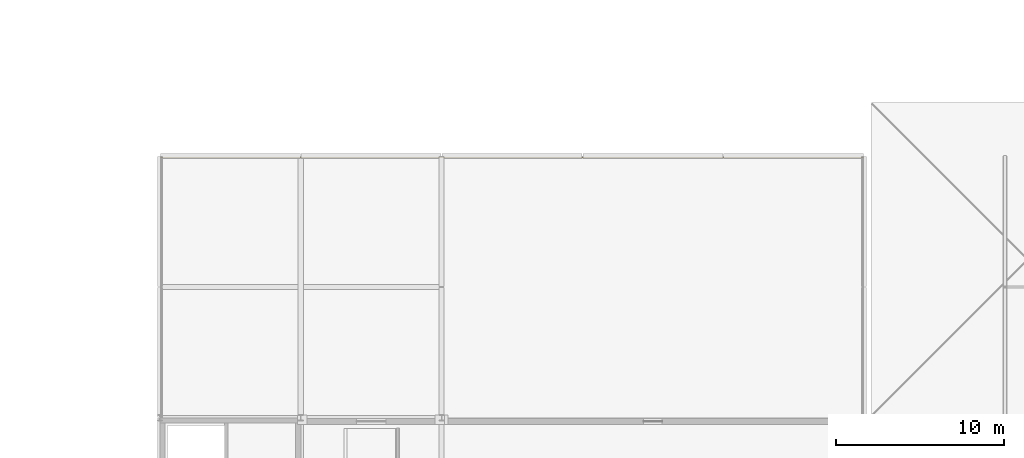
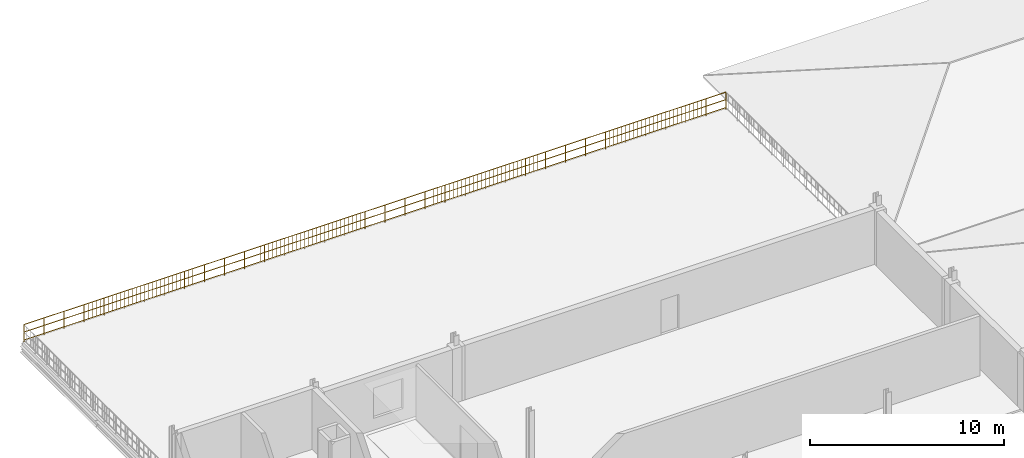
# One storey, part 72 of 77: 1 railing.
"""IFC4 building model written with IfcOpenShell, lengths in metres."""

from ifc_helpers import new_model, si_unit, direction, frame, origin, origin_2d, place, context, subcontext, project, spatial, circle, extrude, material, layer, layer_set, type_object, element, save


model = new_model("IFC4")

# Units and contexts
model_context = context("Model", 3, precision=1e-05, world=origin(), true_north=direction((0.0, 1.0)))
body_context = subcontext(model_context, "Body", "Model", "MODEL_VIEW")
ifc_project = project(units=[si_unit("LENGTHUNIT", "METRE"), si_unit("AREAUNIT", "SQUARE_METRE"), si_unit("VOLUMEUNIT", "CUBIC_METRE"), si_unit("PLANEANGLEUNIT", "RADIAN"), si_unit("MASSUNIT", "GRAM", prefix="KILO")], contexts=[model_context])

# Site, building, storey
site_placement = place(None, origin())
site = spatial("IfcSite", under=ifc_project, at=site_placement, CompositionType="ELEMENT")
building_placement = place(site_placement, origin())
building = spatial("IfcBuilding", under=site, at=building_placement, Name="Nabrawat Pavilion Hospital", CompositionType="ELEMENT")
storey_placement = place(building_placement, frame((0.0, 0.0, 14.85009765625)))
storey = spatial("IfcBuildingStorey", under=building, at=storey_placement, Name="L03", CompositionType="ELEMENT", Elevation=14.85009765625)

# Railing
ifc_material = material(Name="Stainless Steel 316", Category="steel")
ifc_layer = layer(ifc_material, 0.070068359375, Name="Stainless Steel 316")
ifc_layer_set = layer_set([ifc_layer], Name="Stainless Steel 316")
railing_type = type_object("IfcRailingType", Name="Exterior Clinical Terrace Safety Guardrail 1100", PredefinedType="GUARDRAIL", material=ifc_layer_set)
railing_placement = place(storey_placement, frame((16.860107421875, 116.93994140625, 0.0)))
element("IfcRailing", 1, at=railing_placement, inside=storey, type_object=railing_type, Name="L03 Terrace Edge Safety Guardrail T_L03_V3_NORTH North", PredefinedType="GUARDRAIL", context=body_context, shape_type="SweptSolid", body=[
    extrude(circle(Radius=0.02392578125, at=origin_2d()), frame((0.0, 0.0, 1.076171875), z_axis=(1.0, 0.0, 0.0), x_axis=(0.0, 1.0, 0.0)), (0.0, 0.0, 1.0), 41.8798828125),
    extrude(circle(Radius=0.02392578125, at=origin_2d()), frame((0.0, 0.0, 0.10009765625), z_axis=(1.0, 0.0, 0.0), x_axis=(0.0, 1.0, 0.0)), (0.0, 0.0, 1.0), 41.8798828125),
    extrude(circle(Radius=0.02392578125, at=origin_2d()), frame((0.0, 0.0, 0.60498046875), z_axis=(1.0, 0.0, 0.0), x_axis=(0.0, 1.0, 0.0)), (0.0, 0.0, 1.0), 41.8798828125),
    extrude(circle(Radius=0.008056640625, at=origin_2d()), frame((0.2392578125, 0.0, 0.10009765625)), (0.0, 0.0, 1.0), 0.951904296875),
    extrude(circle(Radius=0.008056640625, at=origin_2d()), frame((0.478515625, 0.0, 0.10009765625)), (0.0, 0.0, 1.0), 0.951904296875),
    extrude(circle(Radius=0.008056640625, at=origin_2d()), frame((0.718017578125, 0.0, 0.10009765625)), (0.0, 0.0, 1.0), 0.951904296875),
    extrude(circle(Radius=0.008056640625, at=origin_2d()), frame((0.957275390625, 0.0, 0.10009765625)), (0.0, 0.0, 1.0), 0.951904296875),
    extrude(circle(Radius=0.008056640625, at=origin_2d()), frame((1.435791015625, 0.0, 0.10009765625)), (0.0, 0.0, 1.0), 0.951904296875),
    extrude(circle(Radius=0.008056640625, at=origin_2d()), frame((1.67529296875, 0.0, 0.10009765625)), (0.0, 0.0, 1.0), 0.951904296875),
    extrude(circle(Radius=0.008056640625, at=origin_2d()), frame((1.91455078125, 0.0, 0.10009765625)), (0.0, 0.0, 1.0), 0.951904296875),
    extrude(circle(Radius=0.008056640625, at=origin_2d()), frame((2.15380859375, 0.0, 0.10009765625)), (0.0, 0.0, 1.0), 0.951904296875),
    extrude(circle(Radius=0.008056640625, at=origin_2d()), frame((2.632568359375, 0.0, 0.10009765625)), (0.0, 0.0, 1.0), 0.951904296875),
    extrude(circle(Radius=0.008056640625, at=origin_2d()), frame((2.871826171875, 0.0, 0.10009765625)), (0.0, 0.0, 1.0), 0.951904296875),
    extrude(circle(Radius=0.008056640625, at=origin_2d()), frame((3.111083984375, 0.0, 0.10009765625)), (0.0, 0.0, 1.0), 0.951904296875),
    extrude(circle(Radius=0.008056640625, at=origin_2d()), frame((3.350341796875, 0.0, 0.10009765625)), (0.0, 0.0, 1.0), 0.951904296875),
    extrude(circle(Radius=0.008056640625, at=origin_2d()), frame((3.8291015625, 0.0, 0.10009765625)), (0.0, 0.0, 1.0), 0.951904296875),
    extrude(circle(Radius=0.008056640625, at=origin_2d()), frame((4.068359375, 0.0, 0.10009765625)), (0.0, 0.0, 1.0), 0.951904296875),
    extrude(circle(Radius=0.008056640625, at=origin_2d()), frame((4.3076171875, 0.0, 0.10009765625)), (0.0, 0.0, 1.0), 0.951904296875),
    extrude(circle(Radius=0.008056640625, at=origin_2d()), frame((4.546875, 0.0, 0.10009765625)), (0.0, 0.0, 1.0), 0.951904296875),
    extrude(circle(Radius=0.008056640625, at=origin_2d()), frame((5.025634765625, 0.0, 0.10009765625)), (0.0, 0.0, 1.0), 0.951904296875),
    extrude(circle(Radius=0.008056640625, at=origin_2d()), frame((5.264892578125, 0.0, 0.10009765625)), (0.0, 0.0, 1.0), 0.951904296875),
    extrude(circle(Radius=0.008056640625, at=origin_2d()), frame((5.504150390625, 0.0, 0.10009765625)), (0.0, 0.0, 1.0), 0.951904296875),
    extrude(circle(Radius=0.008056640625, at=origin_2d()), frame((5.743408203125, 0.0, 0.10009765625)), (0.0, 0.0, 1.0), 0.951904296875),
    extrude(circle(Radius=0.008056640625, at=origin_2d()), frame((6.22216796875, 0.0, 0.10009765625)), (0.0, 0.0, 1.0), 0.951904296875),
    extrude(circle(Radius=0.008056640625, at=origin_2d()), frame((6.46142578125, 0.0, 0.10009765625)), (0.0, 0.0, 1.0), 0.951904296875),
    extrude(circle(Radius=0.008056640625, at=origin_2d()), frame((6.70068359375, 0.0, 0.10009765625)), (0.0, 0.0, 1.0), 0.951904296875),
    extrude(circle(Radius=0.008056640625, at=origin_2d()), frame((6.940185546875, 0.0, 0.10009765625)), (0.0, 0.0, 1.0), 0.951904296875),
    extrude(circle(Radius=0.008056640625, at=origin_2d()), frame((7.418701171875, 0.0, 0.10009765625)), (0.0, 0.0, 1.0), 0.951904296875),
    extrude(circle(Radius=0.008056640625, at=origin_2d()), frame((7.657958984375, 0.0, 0.10009765625)), (0.0, 0.0, 1.0), 0.951904296875),
    extrude(circle(Radius=0.008056640625, at=origin_2d()), frame((7.8974609375, 0.0, 0.10009765625)), (0.0, 0.0, 1.0), 0.951904296875),
    extrude(circle(Radius=0.008056640625, at=origin_2d()), frame((8.13671875, 0.0, 0.10009765625)), (0.0, 0.0, 1.0), 0.951904296875),
    extrude(circle(Radius=0.008056640625, at=origin_2d()), frame((8.615234375, 0.0, 0.10009765625)), (0.0, 0.0, 1.0), 0.951904296875),
    extrude(circle(Radius=0.008056640625, at=origin_2d()), frame((8.8544921875, 0.0, 0.10009765625)), (0.0, 0.0, 1.0), 0.951904296875),
    extrude(circle(Radius=0.008056640625, at=origin_2d()), frame((9.093994140625, 0.0, 0.10009765625)), (0.0, 0.0, 1.0), 0.951904296875),
    extrude(circle(Radius=0.008056640625, at=origin_2d()), frame((9.333251953125, 0.0, 0.10009765625)), (0.0, 0.0, 1.0), 0.951904296875),
    extrude(circle(Radius=0.008056640625, at=origin_2d()), frame((9.811767578125, 0.0, 0.10009765625)), (0.0, 0.0, 1.0), 0.951904296875),
    extrude(circle(Radius=0.008056640625, at=origin_2d()), frame((10.05126953125, 0.0, 0.10009765625)), (0.0, 0.0, 1.0), 0.951904296875),
    extrude(circle(Radius=0.008056640625, at=origin_2d()), frame((10.29052734375, 0.0, 0.10009765625)), (0.0, 0.0, 1.0), 0.951904296875),
    extrude(circle(Radius=0.008056640625, at=origin_2d()), frame((10.52978515625, 0.0, 0.10009765625)), (0.0, 0.0, 1.0), 0.951904296875),
    extrude(circle(Radius=0.008056640625, at=origin_2d()), frame((11.008544921875, 0.0, 0.10009765625)), (0.0, 0.0, 1.0), 0.951904296875),
    extrude(circle(Radius=0.008056640625, at=origin_2d()), frame((11.247802734375, 0.0, 0.10009765625)), (0.0, 0.0, 1.0), 0.951904296875),
    extrude(circle(Radius=0.008056640625, at=origin_2d()), frame((11.487060546875, 0.0, 0.10009765625)), (0.0, 0.0, 1.0), 0.951904296875),
    extrude(circle(Radius=0.008056640625, at=origin_2d()), frame((11.726318359375, 0.0, 0.10009765625)), (0.0, 0.0, 1.0), 0.951904296875),
    extrude(circle(Radius=0.008056640625, at=origin_2d()), frame((12.205078125, 0.0, 0.10009765625)), (0.0, 0.0, 1.0), 0.951904296875),
    extrude(circle(Radius=0.008056640625, at=origin_2d()), frame((12.4443359375, 0.0, 0.10009765625)), (0.0, 0.0, 1.0), 0.951904296875),
    extrude(circle(Radius=0.008056640625, at=origin_2d()), frame((12.68359375, 0.0, 0.10009765625)), (0.0, 0.0, 1.0), 0.951904296875),
    extrude(circle(Radius=0.008056640625, at=origin_2d()), frame((12.9228515625, 0.0, 0.10009765625)), (0.0, 0.0, 1.0), 0.951904296875),
    extrude(circle(Radius=0.008056640625, at=origin_2d()), frame((13.401611328125, 0.0, 0.10009765625)), (0.0, 0.0, 1.0), 0.951904296875),
    extrude(circle(Radius=0.008056640625, at=origin_2d()), frame((13.640869140625, 0.0, 0.10009765625)), (0.0, 0.0, 1.0), 0.951904296875),
    extrude(circle(Radius=0.008056640625, at=origin_2d()), frame((13.880126953125, 0.0, 0.10009765625)), (0.0, 0.0, 1.0), 0.951904296875),
    extrude(circle(Radius=0.008056640625, at=origin_2d()), frame((14.119384765625, 0.0, 0.10009765625)), (0.0, 0.0, 1.0), 0.951904296875),
    extrude(circle(Radius=0.008056640625, at=origin_2d()), frame((14.59814453125, 0.0, 0.10009765625)), (0.0, 0.0, 1.0), 0.951904296875),
    extrude(circle(Radius=0.008056640625, at=origin_2d()), frame((14.83740234375, 0.0, 0.10009765625)), (0.0, 0.0, 1.0), 0.951904296875),
    extrude(circle(Radius=0.008056640625, at=origin_2d()), frame((15.07666015625, 0.0, 0.10009765625)), (0.0, 0.0, 1.0), 0.951904296875),
    extrude(circle(Radius=0.008056640625, at=origin_2d()), frame((15.316162109375, 0.0, 0.10009765625)), (0.0, 0.0, 1.0), 0.951904296875),
    extrude(circle(Radius=0.008056640625, at=origin_2d()), frame((15.794677734375, 0.0, 0.10009765625)), (0.0, 0.0, 1.0), 0.951904296875),
    extrude(circle(Radius=0.008056640625, at=origin_2d()), frame((16.033935546875, 0.0, 0.10009765625)), (0.0, 0.0, 1.0), 0.951904296875),
    extrude(circle(Radius=0.008056640625, at=origin_2d()), frame((16.2734375, 0.0, 0.10009765625)), (0.0, 0.0, 1.0), 0.951904296875),
    extrude(circle(Radius=0.008056640625, at=origin_2d()), frame((16.5126953125, 0.0, 0.10009765625)), (0.0, 0.0, 1.0), 0.951904296875),
    extrude(circle(Radius=0.008056640625, at=origin_2d()), frame((16.9912109375, 0.0, 0.10009765625)), (0.0, 0.0, 1.0), 0.951904296875),
    extrude(circle(Radius=0.008056640625, at=origin_2d()), frame((17.23046875, 0.0, 0.10009765625)), (0.0, 0.0, 1.0), 0.951904296875),
    extrude(circle(Radius=0.008056640625, at=origin_2d()), frame((17.469970703125, 0.0, 0.10009765625)), (0.0, 0.0, 1.0), 0.951904296875),
    extrude(circle(Radius=0.008056640625, at=origin_2d()), frame((17.709228515625, 0.0, 0.10009765625)), (0.0, 0.0, 1.0), 0.951904296875),
    extrude(circle(Radius=0.008056640625, at=origin_2d()), frame((18.187744140625, 0.0, 0.10009765625)), (0.0, 0.0, 1.0), 0.951904296875),
    extrude(circle(Radius=0.008056640625, at=origin_2d()), frame((18.42724609375, 0.0, 0.10009765625)), (0.0, 0.0, 1.0), 0.951904296875),
    extrude(circle(Radius=0.008056640625, at=origin_2d()), frame((18.66650390625, 0.0, 0.10009765625)), (0.0, 0.0, 1.0), 0.951904296875),
    extrude(circle(Radius=0.008056640625, at=origin_2d()), frame((18.90576171875, 0.0, 0.10009765625)), (0.0, 0.0, 1.0), 0.951904296875),
    extrude(circle(Radius=0.008056640625, at=origin_2d()), frame((19.384521484375, 0.0, 0.10009765625)), (0.0, 0.0, 1.0), 0.951904296875),
    extrude(circle(Radius=0.008056640625, at=origin_2d()), frame((19.623779296875, 0.0, 0.10009765625)), (0.0, 0.0, 1.0), 0.951904296875),
    extrude(circle(Radius=0.008056640625, at=origin_2d()), frame((19.863037109375, 0.0, 0.10009765625)), (0.0, 0.0, 1.0), 0.951904296875),
    extrude(circle(Radius=0.008056640625, at=origin_2d()), frame((20.102294921875, 0.0, 0.10009765625)), (0.0, 0.0, 1.0), 0.951904296875),
    extrude(circle(Radius=0.008056640625, at=origin_2d()), frame((20.5810546875, 0.0, 0.10009765625)), (0.0, 0.0, 1.0), 0.951904296875),
    extrude(circle(Radius=0.008056640625, at=origin_2d()), frame((20.8203125, 0.0, 0.10009765625)), (0.0, 0.0, 1.0), 0.951904296875),
    extrude(circle(Radius=0.008056640625, at=origin_2d()), frame((21.0595703125, 0.0, 0.10009765625)), (0.0, 0.0, 1.0), 0.951904296875),
    extrude(circle(Radius=0.008056640625, at=origin_2d()), frame((21.298828125, 0.0, 0.10009765625)), (0.0, 0.0, 1.0), 0.951904296875),
    extrude(circle(Radius=0.008056640625, at=origin_2d()), frame((21.777587890625, 0.0, 0.10009765625)), (0.0, 0.0, 1.0), 0.951904296875),
    extrude(circle(Radius=0.008056640625, at=origin_2d()), frame((22.016845703125, 0.0, 0.10009765625)), (0.0, 0.0, 1.0), 0.951904296875),
    extrude(circle(Radius=0.008056640625, at=origin_2d()), frame((22.256103515625, 0.0, 0.10009765625)), (0.0, 0.0, 1.0), 0.951904296875),
    extrude(circle(Radius=0.008056640625, at=origin_2d()), frame((22.495361328125, 0.0, 0.10009765625)), (0.0, 0.0, 1.0), 0.951904296875),
    extrude(circle(Radius=0.008056640625, at=origin_2d()), frame((22.97412109375, 0.0, 0.10009765625)), (0.0, 0.0, 1.0), 0.951904296875),
    extrude(circle(Radius=0.008056640625, at=origin_2d()), frame((23.21337890625, 0.0, 0.10009765625)), (0.0, 0.0, 1.0), 0.951904296875),
    extrude(circle(Radius=0.008056640625, at=origin_2d()), frame((23.45263671875, 0.0, 0.10009765625)), (0.0, 0.0, 1.0), 0.951904296875),
    extrude(circle(Radius=0.008056640625, at=origin_2d()), frame((23.692138671875, 0.0, 0.10009765625)), (0.0, 0.0, 1.0), 0.951904296875),
    extrude(circle(Radius=0.008056640625, at=origin_2d()), frame((24.170654296875, 0.0, 0.10009765625)), (0.0, 0.0, 1.0), 0.951904296875),
    extrude(circle(Radius=0.008056640625, at=origin_2d()), frame((24.409912109375, 0.0, 0.10009765625)), (0.0, 0.0, 1.0), 0.951904296875),
    extrude(circle(Radius=0.008056640625, at=origin_2d()), frame((24.6494140625, 0.0, 0.10009765625)), (0.0, 0.0, 1.0), 0.951904296875),
    extrude(circle(Radius=0.008056640625, at=origin_2d()), frame((24.888671875, 0.0, 0.10009765625)), (0.0, 0.0, 1.0), 0.951904296875),
    extrude(circle(Radius=0.008056640625, at=origin_2d()), frame((25.3671875, 0.0, 0.10009765625)), (0.0, 0.0, 1.0), 0.951904296875),
    extrude(circle(Radius=0.008056640625, at=origin_2d()), frame((25.6064453125, 0.0, 0.10009765625)), (0.0, 0.0, 1.0), 0.951904296875),
    extrude(circle(Radius=0.008056640625, at=origin_2d()), frame((25.845947265625, 0.0, 0.10009765625)), (0.0, 0.0, 1.0), 0.951904296875),
    extrude(circle(Radius=0.008056640625, at=origin_2d()), frame((26.085205078125, 0.0, 0.10009765625)), (0.0, 0.0, 1.0), 0.951904296875),
    extrude(circle(Radius=0.008056640625, at=origin_2d()), frame((26.563720703125, 0.0, 0.10009765625)), (0.0, 0.0, 1.0), 0.951904296875),
    extrude(circle(Radius=0.008056640625, at=origin_2d()), frame((26.80322265625, 0.0, 0.10009765625)), (0.0, 0.0, 1.0), 0.951904296875),
    extrude(circle(Radius=0.008056640625, at=origin_2d()), frame((27.04248046875, 0.0, 0.10009765625)), (0.0, 0.0, 1.0), 0.951904296875),
    extrude(circle(Radius=0.008056640625, at=origin_2d()), frame((27.28173828125, 0.0, 0.10009765625)), (0.0, 0.0, 1.0), 0.951904296875),
    extrude(circle(Radius=0.008056640625, at=origin_2d()), frame((27.760498046875, 0.0, 0.10009765625)), (0.0, 0.0, 1.0), 0.951904296875),
    extrude(circle(Radius=0.008056640625, at=origin_2d()), frame((27.999755859375, 0.0, 0.10009765625)), (0.0, 0.0, 1.0), 0.951904296875),
    extrude(circle(Radius=0.008056640625, at=origin_2d()), frame((28.239013671875, 0.0, 0.10009765625)), (0.0, 0.0, 1.0), 0.951904296875),
    extrude(circle(Radius=0.008056640625, at=origin_2d()), frame((28.478271484375, 0.0, 0.10009765625)), (0.0, 0.0, 1.0), 0.951904296875),
    extrude(circle(Radius=0.008056640625, at=origin_2d()), frame((28.95703125, 0.0, 0.10009765625)), (0.0, 0.0, 1.0), 0.951904296875),
    extrude(circle(Radius=0.008056640625, at=origin_2d()), frame((29.1962890625, 0.0, 0.10009765625)), (0.0, 0.0, 1.0), 0.951904296875),
    extrude(circle(Radius=0.008056640625, at=origin_2d()), frame((29.435546875, 0.0, 0.10009765625)), (0.0, 0.0, 1.0), 0.951904296875),
    extrude(circle(Radius=0.008056640625, at=origin_2d()), frame((29.6748046875, 0.0, 0.10009765625)), (0.0, 0.0, 1.0), 0.951904296875),
    extrude(circle(Radius=0.008056640625, at=origin_2d()), frame((30.153564453125, 0.0, 0.10009765625)), (0.0, 0.0, 1.0), 0.951904296875),
    extrude(circle(Radius=0.008056640625, at=origin_2d()), frame((30.392822265625, 0.0, 0.10009765625)), (0.0, 0.0, 1.0), 0.951904296875),
    extrude(circle(Radius=0.008056640625, at=origin_2d()), frame((30.632080078125, 0.0, 0.10009765625)), (0.0, 0.0, 1.0), 0.951904296875),
    extrude(circle(Radius=0.008056640625, at=origin_2d()), frame((30.871337890625, 0.0, 0.10009765625)), (0.0, 0.0, 1.0), 0.951904296875),
    extrude(circle(Radius=0.008056640625, at=origin_2d()), frame((31.35009765625, 0.0, 0.10009765625)), (0.0, 0.0, 1.0), 0.951904296875),
    extrude(circle(Radius=0.008056640625, at=origin_2d()), frame((31.58935546875, 0.0, 0.10009765625)), (0.0, 0.0, 1.0), 0.951904296875),
    extrude(circle(Radius=0.008056640625, at=origin_2d()), frame((31.82861328125, 0.0, 0.10009765625)), (0.0, 0.0, 1.0), 0.951904296875),
    extrude(circle(Radius=0.008056640625, at=origin_2d()), frame((32.068115234375, 0.0, 0.10009765625)), (0.0, 0.0, 1.0), 0.951904296875),
    extrude(circle(Radius=0.008056640625, at=origin_2d()), frame((32.546630859375, 0.0, 0.10009765625)), (0.0, 0.0, 1.0), 0.951904296875),
    extrude(circle(Radius=0.008056640625, at=origin_2d()), frame((32.785888671875, 0.0, 0.10009765625)), (0.0, 0.0, 1.0), 0.951904296875),
    extrude(circle(Radius=0.008056640625, at=origin_2d()), frame((33.025390625, 0.0, 0.10009765625)), (0.0, 0.0, 1.0), 0.951904296875),
    extrude(circle(Radius=0.008056640625, at=origin_2d()), frame((33.2646484375, 0.0, 0.10009765625)), (0.0, 0.0, 1.0), 0.951904296875),
    extrude(circle(Radius=0.008056640625, at=origin_2d()), frame((33.7431640625, 0.0, 0.10009765625)), (0.0, 0.0, 1.0), 0.951904296875),
    extrude(circle(Radius=0.008056640625, at=origin_2d()), frame((33.982421875, 0.0, 0.10009765625)), (0.0, 0.0, 1.0), 0.951904296875),
    extrude(circle(Radius=0.008056640625, at=origin_2d()), frame((34.221923828125, 0.0, 0.10009765625)), (0.0, 0.0, 1.0), 0.951904296875),
    extrude(circle(Radius=0.008056640625, at=origin_2d()), frame((34.461181640625, 0.0, 0.10009765625)), (0.0, 0.0, 1.0), 0.951904296875),
    extrude(circle(Radius=0.008056640625, at=origin_2d()), frame((34.939697265625, 0.0, 0.10009765625)), (0.0, 0.0, 1.0), 0.951904296875),
    extrude(circle(Radius=0.008056640625, at=origin_2d()), frame((35.17919921875, 0.0, 0.10009765625)), (0.0, 0.0, 1.0), 0.951904296875),
    extrude(circle(Radius=0.008056640625, at=origin_2d()), frame((35.41845703125, 0.0, 0.10009765625)), (0.0, 0.0, 1.0), 0.951904296875),
    extrude(circle(Radius=0.008056640625, at=origin_2d()), frame((35.65771484375, 0.0, 0.10009765625)), (0.0, 0.0, 1.0), 0.951904296875),
    extrude(circle(Radius=0.008056640625, at=origin_2d()), frame((36.136474609375, 0.0, 0.10009765625)), (0.0, 0.0, 1.0), 0.951904296875),
    extrude(circle(Radius=0.008056640625, at=origin_2d()), frame((36.375732421875, 0.0, 0.10009765625)), (0.0, 0.0, 1.0), 0.951904296875),
    extrude(circle(Radius=0.008056640625, at=origin_2d()), frame((36.614990234375, 0.0, 0.10009765625)), (0.0, 0.0, 1.0), 0.951904296875),
    extrude(circle(Radius=0.008056640625, at=origin_2d()), frame((36.854248046875, 0.0, 0.10009765625)), (0.0, 0.0, 1.0), 0.951904296875),
    extrude(circle(Radius=0.008056640625, at=origin_2d()), frame((37.3330078125, 0.0, 0.10009765625)), (0.0, 0.0, 1.0), 0.951904296875),
    extrude(circle(Radius=0.008056640625, at=origin_2d()), frame((37.572265625, 0.0, 0.10009765625)), (0.0, 0.0, 1.0), 0.951904296875),
    extrude(circle(Radius=0.008056640625, at=origin_2d()), frame((37.8115234375, 0.0, 0.10009765625)), (0.0, 0.0, 1.0), 0.951904296875),
    extrude(circle(Radius=0.008056640625, at=origin_2d()), frame((38.05078125, 0.0, 0.10009765625)), (0.0, 0.0, 1.0), 0.951904296875),
    extrude(circle(Radius=0.008056640625, at=origin_2d()), frame((38.529541015625, 0.0, 0.10009765625)), (0.0, 0.0, 1.0), 0.951904296875),
    extrude(circle(Radius=0.008056640625, at=origin_2d()), frame((38.768798828125, 0.0, 0.10009765625)), (0.0, 0.0, 1.0), 0.951904296875),
    extrude(circle(Radius=0.008056640625, at=origin_2d()), frame((39.008056640625, 0.0, 0.10009765625)), (0.0, 0.0, 1.0), 0.951904296875),
    extrude(circle(Radius=0.008056640625, at=origin_2d()), frame((39.247314453125, 0.0, 0.10009765625)), (0.0, 0.0, 1.0), 0.951904296875),
    extrude(circle(Radius=0.008056640625, at=origin_2d()), frame((39.72607421875, 0.0, 0.10009765625)), (0.0, 0.0, 1.0), 0.951904296875),
    extrude(circle(Radius=0.008056640625, at=origin_2d()), frame((39.96533203125, 0.0, 0.10009765625)), (0.0, 0.0, 1.0), 0.951904296875),
    extrude(circle(Radius=0.008056640625, at=origin_2d()), frame((40.20458984375, 0.0, 0.10009765625)), (0.0, 0.0, 1.0), 0.951904296875),
    extrude(circle(Radius=0.008056640625, at=origin_2d()), frame((40.444091796875, 0.0, 0.10009765625)), (0.0, 0.0, 1.0), 0.951904296875),
    extrude(circle(Radius=0.008056640625, at=origin_2d()), frame((40.922607421875, 0.0, 0.10009765625)), (0.0, 0.0, 1.0), 0.951904296875),
    extrude(circle(Radius=0.008056640625, at=origin_2d()), frame((41.161865234375, 0.0, 0.10009765625)), (0.0, 0.0, 1.0), 0.951904296875),
    extrude(circle(Radius=0.008056640625, at=origin_2d()), frame((41.4013671875, 0.0, 0.10009765625)), (0.0, 0.0, 1.0), 0.951904296875),
    extrude(circle(Radius=0.008056640625, at=origin_2d()), frame((41.640625, 0.0, 0.10009765625)), (0.0, 0.0, 1.0), 0.951904296875),
    extrude(circle(Radius=0.02099609375, at=origin_2d()), origin(), (0.0, 0.0, 1.0), 1.052001953125),
    extrude(circle(Radius=0.02099609375, at=origin_2d()), frame((1.196533203125, 0.0, 0.0)), (0.0, 0.0, 1.0), 1.052001953125),
    extrude(circle(Radius=0.02099609375, at=origin_2d()), frame((2.39306640625, 0.0, 0.0)), (0.0, 0.0, 1.0), 1.052001953125),
    extrude(circle(Radius=0.02099609375, at=origin_2d()), frame((3.589599609375, 0.0, 0.0)), (0.0, 0.0, 1.0), 1.052001953125),
    extrude(circle(Radius=0.02099609375, at=origin_2d()), frame((4.786376953125, 0.0, 0.0)), (0.0, 0.0, 1.0), 1.052001953125),
    extrude(circle(Radius=0.02099609375, at=origin_2d()), frame((5.98291015625, 0.0, 0.0)), (0.0, 0.0, 1.0), 1.052001953125),
    extrude(circle(Radius=0.02099609375, at=origin_2d()), frame((7.179443359375, 0.0, 0.0)), (0.0, 0.0, 1.0), 1.052001953125),
    extrude(circle(Radius=0.02099609375, at=origin_2d()), frame((8.3759765625, 0.0, 0.0)), (0.0, 0.0, 1.0), 1.052001953125),
    extrude(circle(Radius=0.02099609375, at=origin_2d()), frame((9.572509765625, 0.0, 0.0)), (0.0, 0.0, 1.0), 1.052001953125),
    extrude(circle(Radius=0.02099609375, at=origin_2d()), frame((10.76904296875, 0.0, 0.0)), (0.0, 0.0, 1.0), 1.052001953125),
    extrude(circle(Radius=0.02099609375, at=origin_2d()), frame((11.965576171875, 0.0, 0.0)), (0.0, 0.0, 1.0), 1.052001953125),
    extrude(circle(Radius=0.02099609375, at=origin_2d()), frame((13.162353515625, 0.0, 0.0)), (0.0, 0.0, 1.0), 1.052001953125),
    extrude(circle(Radius=0.02099609375, at=origin_2d()), frame((14.35888671875, 0.0, 0.0)), (0.0, 0.0, 1.0), 1.052001953125),
    extrude(circle(Radius=0.02099609375, at=origin_2d()), frame((15.555419921875, 0.0, 0.0)), (0.0, 0.0, 1.0), 1.052001953125),
    extrude(circle(Radius=0.02099609375, at=origin_2d()), frame((16.751953125, 0.0, 0.0)), (0.0, 0.0, 1.0), 1.052001953125),
    extrude(circle(Radius=0.02099609375, at=origin_2d()), frame((17.948486328125, 0.0, 0.0)), (0.0, 0.0, 1.0), 1.052001953125),
    extrude(circle(Radius=0.02099609375, at=origin_2d()), frame((19.14501953125, 0.0, 0.0)), (0.0, 0.0, 1.0), 1.052001953125),
    extrude(circle(Radius=0.02099609375, at=origin_2d()), frame((20.341552734375, 0.0, 0.0)), (0.0, 0.0, 1.0), 1.052001953125),
    extrude(circle(Radius=0.02099609375, at=origin_2d()), frame((21.538330078125, 0.0, 0.0)), (0.0, 0.0, 1.0), 1.052001953125),
    extrude(circle(Radius=0.02099609375, at=origin_2d()), frame((22.73486328125, 0.0, 0.0)), (0.0, 0.0, 1.0), 1.052001953125),
    extrude(circle(Radius=0.02099609375, at=origin_2d()), frame((23.931396484375, 0.0, 0.0)), (0.0, 0.0, 1.0), 1.052001953125),
    extrude(circle(Radius=0.02099609375, at=origin_2d()), frame((25.1279296875, 0.0, 0.0)), (0.0, 0.0, 1.0), 1.052001953125),
    extrude(circle(Radius=0.02099609375, at=origin_2d()), frame((26.324462890625, 0.0, 0.0)), (0.0, 0.0, 1.0), 1.052001953125),
    extrude(circle(Radius=0.02099609375, at=origin_2d()), frame((27.52099609375, 0.0, 0.0)), (0.0, 0.0, 1.0), 1.052001953125),
    extrude(circle(Radius=0.02099609375, at=origin_2d()), frame((28.717529296875, 0.0, 0.0)), (0.0, 0.0, 1.0), 1.052001953125),
    extrude(circle(Radius=0.02099609375, at=origin_2d()), frame((29.914306640625, 0.0, 0.0)), (0.0, 0.0, 1.0), 1.052001953125),
    extrude(circle(Radius=0.02099609375, at=origin_2d()), frame((31.11083984375, 0.0, 0.0)), (0.0, 0.0, 1.0), 1.052001953125),
    extrude(circle(Radius=0.02099609375, at=origin_2d()), frame((32.307373046875, 0.0, 0.0)), (0.0, 0.0, 1.0), 1.052001953125),
    extrude(circle(Radius=0.02099609375, at=origin_2d()), frame((33.50390625, 0.0, 0.0)), (0.0, 0.0, 1.0), 1.052001953125),
    extrude(circle(Radius=0.02099609375, at=origin_2d()), frame((34.700439453125, 0.0, 0.0)), (0.0, 0.0, 1.0), 1.052001953125),
    extrude(circle(Radius=0.02099609375, at=origin_2d()), frame((35.89697265625, 0.0, 0.0)), (0.0, 0.0, 1.0), 1.052001953125),
    extrude(circle(Radius=0.02099609375, at=origin_2d()), frame((37.093505859375, 0.0, 0.0)), (0.0, 0.0, 1.0), 1.052001953125),
    extrude(circle(Radius=0.02099609375, at=origin_2d()), frame((38.290283203125, 0.0, 0.0)), (0.0, 0.0, 1.0), 1.052001953125),
    extrude(circle(Radius=0.02099609375, at=origin_2d()), frame((39.48681640625, 0.0, 0.0)), (0.0, 0.0, 1.0), 1.052001953125),
    extrude(circle(Radius=0.02099609375, at=origin_2d()), frame((40.683349609375, 0.0, 0.0)), (0.0, 0.0, 1.0), 1.052001953125),
    extrude(circle(Radius=0.02099609375, at=origin_2d()), frame((41.8798828125, 0.0, 0.0)), (0.0, 0.0, 1.0), 1.052001953125),
])

save(model, "model.ifc")
